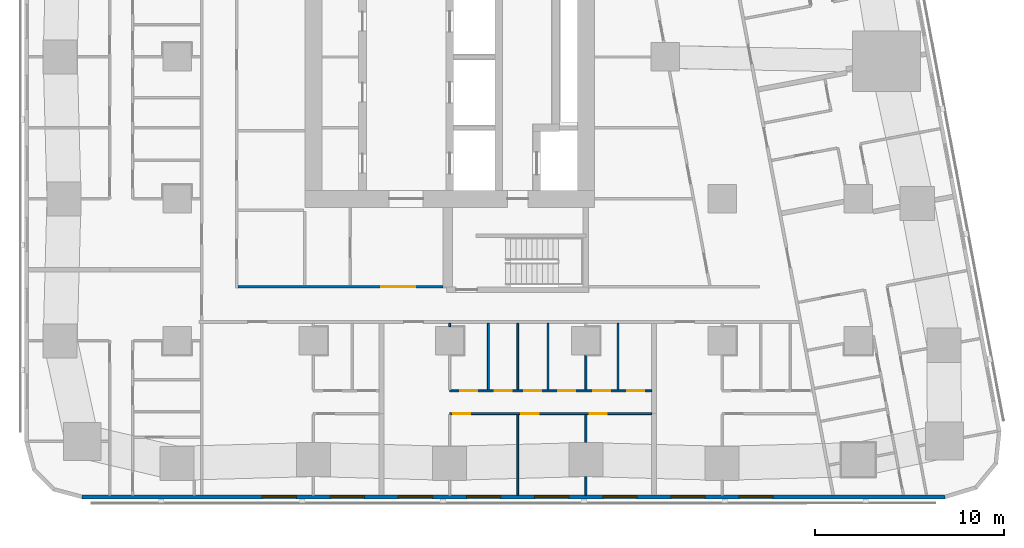
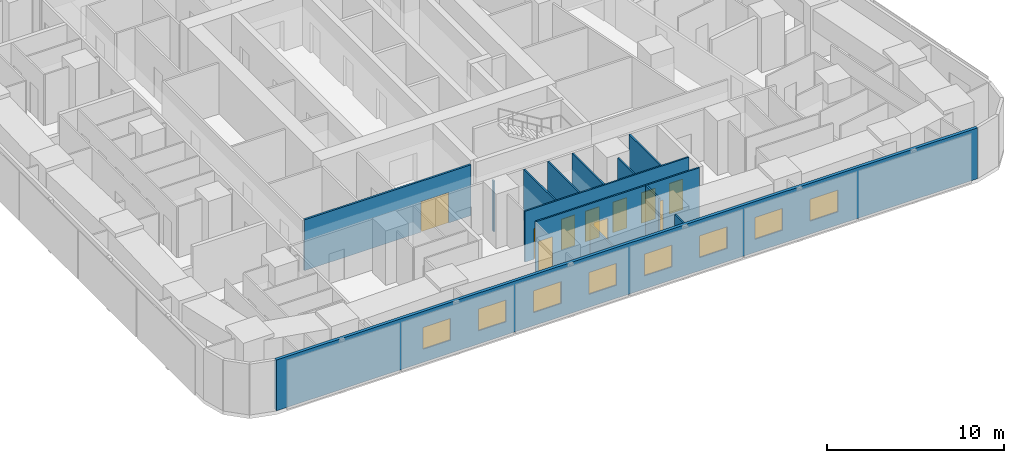
# One storey, part 3 of 15: 13 walls, 10 doors, 8 windows, 18 openings.
"""IFC4 building model written with IfcOpenShell, lengths in metres."""

import ifcopenshell
import ifcopenshell.guid

model = None  # the IFC model being written
_history = None  # IfcOwnerHistory: only IFC2X3 demands one
_inside = {}  # id of a spatial element -> (the spatial element, [elements in it])
_under = {}  # id of a project, library or spatial element -> (it, [spatial elements below it])
_declared = {}  # id of a project -> (the project, [libraries it declares])
_typed = {}  # id of a type object -> (the type object, [elements of that type])
_made_of = {}  # id of a material, layer set ... -> (it, [elements and type objects made of it])


def new_model(schema):
    """Start an empty IFC model of exactly this schema.

    Asked for "IFC4X3", IfcOpenShell would pick the latest addendum, in which some entities
    have other attributes; the version numbers below select the first issue.
    IFC2X3 requires an IfcOwnerHistory on every rooted entity: one is made here for all.
    """
    global model, _history
    if schema == "IFC4X3":
        model = ifcopenshell.file(schema_version=(4, 3, 0, 0))
    else:
        model = ifcopenshell.file(schema=schema)
    _inside.clear()
    _under.clear()
    _declared.clear()
    _typed.clear()
    _made_of.clear()
    _history = None
    if model.schema == "IFC2X3":
        org = make("IfcOrganization", Name="unknown")
        user = make(
            "IfcPersonAndOrganization",
            ThePerson=make("IfcPerson", FamilyName="unknown"),
            TheOrganization=org,
        )
        app = make(
            "IfcApplication",
            ApplicationDeveloper=org,
            Version="unknown",
            ApplicationFullName="unknown",
            ApplicationIdentifier="unknown",
        )
        _history = make(
            "IfcOwnerHistory",
            OwningUser=user,
            OwningApplication=app,
            ChangeAction="ADDED",
            CreationDate=0,
        )
    return model


def make(cls, **values):
    """One entity of the class cls with the attributes given. An attribute that is None is left unset."""
    return model.create_entity(
        cls, **{name: value for name, value in values.items() if value is not None}
    )


def rooted(cls, **values):
    """An entity with a GlobalId (a new one), such as an element, a storey or a relation."""
    return make(cls, GlobalId=ifcopenshell.guid.new(), OwnerHistory=_history, **values)


def si_unit(unit_type, name, prefix=None):
    """IfcSIUnit, for example si_unit("LENGTHUNIT", "METRE", prefix="MILLI")."""
    return make("IfcSIUnit", UnitType=unit_type, Prefix=prefix, Name=name)


def assignment(units):
    """IfcUnitAssignment: the units of a project."""
    return None if units is None else make("IfcUnitAssignment", Units=units)


def point(xyz):
    """IfcCartesianPoint."""
    return None if xyz is None else make("IfcCartesianPoint", Coordinates=xyz)


def direction(xyz):
    """IfcDirection."""
    return None if xyz is None else make("IfcDirection", DirectionRatios=xyz)


def frame(location, z_axis=None, x_axis=None):
    """IfcAxis2Placement3D, a coordinate frame: its origin and axes. An axis left out is left unset."""
    return make(
        "IfcAxis2Placement3D",
        Location=point(location),
        Axis=direction(z_axis),
        RefDirection=direction(x_axis),
    )


def frame_2d(location, x_axis=None):
    """IfcAxis2Placement2D, a coordinate frame in the plane: its origin and x axis."""
    return make(
        "IfcAxis2Placement2D", Location=point(location), RefDirection=direction(x_axis)
    )


def origin():
    """The frame at (0, 0, 0) with its axes left unset."""
    return frame((0.0, 0.0, 0.0))


def place(relative_to, where):
    """IfcLocalPlacement: puts the frame where relative to a parent placement (None: the world)."""
    return make(
        "IfcLocalPlacement", PlacementRelTo=relative_to, RelativePlacement=where
    )


def context(
    kind, dimensions, precision=None, world=None, true_north=None, identifier=None
):
    """IfcGeometricRepresentationContext, for example the 3D "Model" context."""
    return make(
        "IfcGeometricRepresentationContext",
        ContextIdentifier=identifier,
        ContextType=kind,
        CoordinateSpaceDimension=dimensions,
        Precision=precision,
        WorldCoordinateSystem=world,
        TrueNorth=true_north,
    )


def subcontext(parent, identifier, kind, view, scale=None):
    """IfcGeometricRepresentationSubContext, for example "Body" below "Model"."""
    return make(
        "IfcGeometricRepresentationSubContext",
        ContextIdentifier=identifier,
        ContextType=kind,
        ParentContext=parent,
        TargetScale=scale,
        TargetView=view,
    )


def project(units=None, contexts=None):
    """IfcProject with its units and contexts."""
    return rooted(
        "IfcProject",
        Name="project",
        RepresentationContexts=contexts,
        UnitsInContext=assignment(units),
    )


def spatial(cls, under=None, at=None, **own):
    """A site, building, storey or space (cls), placed at a placement, below another one or the project."""
    s = rooted(cls, ObjectPlacement=at, **own)
    if under is not None:
        _under.setdefault(under.id(), (under, []))[1].append(s)
    return s


def profile(cls, at=None, kind="AREA", **sizes):
    """A parametric profile (cls). Its sizes go by their IFC names, for example OverallWidth=200.0."""
    return make(cls, ProfileType=kind, Position=at, **sizes)


def rectangle(**sizes):
    """IfcRectangleProfileDef."""
    return profile("IfcRectangleProfileDef", **sizes)


def extrude(swept, where, along, depth):
    """IfcExtrudedAreaSolid: the profile swept, set in the frame where, extruded along a direction by depth."""
    return make(
        "IfcExtrudedAreaSolid",
        SweptArea=swept,
        Position=where,
        ExtrudedDirection=direction(along),
        Depth=depth,
    )


def shape(context_of_items, identifier, shape_type, items):
    """IfcShapeRepresentation: the items that make up one representation, for example the "Body"."""
    return make(
        "IfcShapeRepresentation",
        ContextOfItems=context_of_items,
        RepresentationIdentifier=identifier,
        RepresentationType=shape_type,
        Items=items,
    )


def material(Name=None, Category=None):
    """IfcMaterial."""
    return make("IfcMaterial", Name=Name, Category=Category)


def layer(
    of_material, thickness, ventilated=None, Name=None, Category=None, Priority=None
):
    """IfcMaterialLayer: one layer of a wall or slab, of a material (None: an air gap)."""
    return make(
        "IfcMaterialLayer",
        Material=of_material,
        LayerThickness=thickness,
        IsVentilated=ventilated,
        Name=Name,
        Category=Category,
        Priority=Priority,
    )


def layer_set(layers, Name=None):
    """IfcMaterialLayerSet."""
    return make("IfcMaterialLayerSet", MaterialLayers=layers, LayerSetName=Name)


def made_of(thing, what):
    """Note that an element or type object is made of a material, layer set ...; save() writes the relation."""
    if what is not None:
        _made_of.setdefault(what.id(), (what, []))[1].append(thing)
    return thing


def type_object(cls, material=None, **own):
    """A type object (cls), such as IfcWallType, which elements share."""
    return made_of(rooted(cls, **own), material)


def element(
    cls,
    number,
    at=None,
    inside=None,
    cuts=None,
    type_object=None,
    material=None,
    context=None,
    identifier="Body",
    shape_type=None,
    held_by="IfcProductDefinitionShape",
    body=None,
    shapes=None,
    **own,
):
    """One element of the class cls, such as IfcWall. Its Tag is "e" and its number.

    at: its placement. inside: the storey or other place that contains it. cuts: it is an
    opening in that element (IfcRelVoidsElement). A single representation is given by context,
    identifier, shape_type and body (its items); several are given by shapes. held_by: the class
    of the entity that holds the representations. save() writes the other relations.
    """
    e = rooted(cls, Tag="e%d" % number, ObjectPlacement=at, **own)
    if body is not None:
        shapes = [shape(context, identifier, shape_type, body)]
    if shapes is not None:
        e.Representation = make(held_by, Representations=shapes)
    if inside is not None:
        _inside.setdefault(inside.id(), (inside, []))[1].append(e)
    if cuts is not None:
        rooted(
            "IfcRelVoidsElement", RelatingBuildingElement=cuts, RelatedOpeningElement=e
        )
    if type_object is not None:
        _typed.setdefault(type_object.id(), (type_object, []))[1].append(e)
    return made_of(e, material)


def fill(opening, filler):
    """IfcRelFillsElement: the door or window that sits in an opening."""
    return rooted(
        "IfcRelFillsElement",
        RelatingOpeningElement=opening,
        RelatedBuildingElement=filler,
    )


def aggregate(whole, parts):
    """IfcRelAggregates: a whole, such as a stair, and the parts it consists of."""
    return rooted("IfcRelAggregates", RelatingObject=whole, RelatedObjects=parts)


def save(model, path):
    """Write the relations noted so far, then the file.

    IfcRelAggregates (storeys below a building ...), IfcRelContainedInSpatialStructure (elements
    in a storey), IfcRelDefinesByType, IfcRelAssociatesMaterial and IfcRelDeclares: one each for
    every whole, place, type object, material and project.
    """
    for whole, parts in _under.values():
        aggregate(whole, parts)
    for where, things in _inside.values():
        rooted(
            "IfcRelContainedInSpatialStructure",
            RelatedElements=things,
            RelatingStructure=where,
        )
    for kind, things in _typed.values():
        rooted("IfcRelDefinesByType", RelatedObjects=things, RelatingType=kind)
    for what, things in _made_of.values():
        rooted("IfcRelAssociatesMaterial", RelatedObjects=things, RelatingMaterial=what)
    for by, libraries in _declared.values():
        rooted("IfcRelDeclares", RelatingContext=by, RelatedDefinitions=libraries)
    model.write(path)


model = new_model("IFC4")

# Units and contexts
model_context = context("Model", 3, precision=1e-05, world=origin(), true_north=direction((0.0, 1.0)))
body_context = subcontext(model_context, "Body", "Model", "MODEL_VIEW")
ifc_project = project(units=[si_unit("LENGTHUNIT", "METRE"), si_unit("AREAUNIT", "SQUARE_METRE"), si_unit("VOLUMEUNIT", "CUBIC_METRE"), si_unit("PLANEANGLEUNIT", "RADIAN"), si_unit("MASSUNIT", "GRAM", prefix="KILO")], contexts=[model_context])

# Site, building, storey
site_placement = place(None, origin())
site = spatial("IfcSite", under=ifc_project, at=site_placement, CompositionType="ELEMENT")
building_placement = place(site_placement, origin())
building = spatial("IfcBuilding", under=site, at=building_placement, Name="Sheger Commons Tower", CompositionType="ELEMENT")
storey_placement = place(building_placement, frame((0.0, 0.0, 139.550048828125)))
storey = spatial("IfcBuildingStorey", under=building, at=storey_placement, Name="L35", CompositionType="ELEMENT", Elevation=139.550048828125)

# Wall, openings, windows
ifc_material_1 = material(Name="Rendered concrete block masonry, dark grey", Category="masonry")
ifc_layer_1 = layer(ifc_material_1, 0.199951171875)
ifc_layer_set_1 = layer_set([ifc_layer_1], Name="FACADE WALL 200")
wall_type_1 = type_object("IfcWallType", Name="FACADE WALL 200", PredefinedType="SOLIDWALL", material=ifc_layer_set_1)
wall_1_placement = place(storey_placement, frame((2.1630859375, -0.75, 0.0), z_axis=(0.0, 0.0, 1.0), x_axis=(1.0, 0.0, 0.0)))
wall_1 = element("IfcWall", 1, at=wall_1_placement, inside=storey, type_object=wall_type_1, Name="Facade wall L35", PredefinedType="SOLIDWALL", context=body_context, shape_type="SweptSolid", body=[
    extrude(rectangle(XDim=45.6279296875, YDim=0.199951171875, at=frame_2d((22.81396484375, 0.0))), origin(), (0.0, 0.0, 1.0), 3.5),
])
opening_1_placement = place(wall_1_placement, frame((9.537109375, 0.0, 0.89990234375)))
opening_1 = element("IfcOpeningElement", 2, at=opening_1_placement, cuts=wall_1, Name="Opening W2", PredefinedType="OPENING", context=body_context, shape_type="SweptSolid", body=[
    extrude(rectangle(XDim=1.800048828125, YDim=1.5, at=frame_2d((0.89990234375, 0.75))), frame((0.0, 0.10986328125, 0.0), z_axis=(0.0, -1.0, 0.0), x_axis=(1.0, 0.0, 0.0)), (0.0, 0.0, 1.0), 0.219970703125),
])
opening_2_placement = place(wall_1_placement, frame((13.136962890625, 0.0, 0.89990234375)))
opening_2 = element("IfcOpeningElement", 3, at=opening_2_placement, cuts=wall_1, Name="Opening W2", PredefinedType="OPENING", context=body_context, shape_type="SweptSolid", body=[
    extrude(rectangle(XDim=1.800048828125, YDim=1.5, at=frame_2d((0.89990234375, 0.75))), frame((0.0, 0.10986328125, 0.0), z_axis=(0.0, -1.0, 0.0), x_axis=(1.0, 0.0, 0.0)), (0.0, 0.0, 1.0), 0.219970703125),
])
opening_3_placement = place(wall_1_placement, frame((16.737060546875, 0.0, 0.89990234375)))
opening_3 = element("IfcOpeningElement", 4, at=opening_3_placement, cuts=wall_1, Name="Opening W2", PredefinedType="OPENING", context=body_context, shape_type="SweptSolid", body=[
    extrude(rectangle(XDim=1.800048828125, YDim=1.5, at=frame_2d((0.89990234375, 0.75))), frame((0.0, 0.10986328125, 0.0), z_axis=(0.0, -1.0, 0.0), x_axis=(1.0, 0.0, 0.0)), (0.0, 0.0, 1.0), 0.219970703125),
])
opening_4_placement = place(wall_1_placement, frame((20.3369140625, 0.0, 0.89990234375)))
opening_4 = element("IfcOpeningElement", 5, at=opening_4_placement, cuts=wall_1, Name="Opening W2", PredefinedType="OPENING", context=body_context, shape_type="SweptSolid", body=[
    extrude(rectangle(XDim=1.800048828125, YDim=1.5, at=frame_2d((0.89990234375, 0.75))), frame((0.0, 0.10986328125, 0.0), z_axis=(0.0, -1.0, 0.0), x_axis=(1.0, 0.0, 0.0)), (0.0, 0.0, 1.0), 0.219970703125),
])
opening_5_placement = place(wall_1_placement, frame((23.93701171875, 0.0, 0.89990234375)))
opening_5 = element("IfcOpeningElement", 6, at=opening_5_placement, cuts=wall_1, Name="Opening W2", PredefinedType="OPENING", context=body_context, shape_type="SweptSolid", body=[
    extrude(rectangle(XDim=1.800048828125, YDim=1.5, at=frame_2d((0.89990234375, 0.75))), frame((0.0, 0.10986328125, 0.0), z_axis=(0.0, -1.0, 0.0), x_axis=(1.0, 0.0, 0.0)), (0.0, 0.0, 1.0), 0.219970703125),
])
opening_6_placement = place(wall_1_placement, frame((27.537109375, 0.0, 0.89990234375)))
opening_6 = element("IfcOpeningElement", 7, at=opening_6_placement, cuts=wall_1, Name="Opening W2", PredefinedType="OPENING", context=body_context, shape_type="SweptSolid", body=[
    extrude(rectangle(XDim=1.800048828125, YDim=1.5, at=frame_2d((0.89990234375, 0.75))), frame((0.0, 0.10986328125, 0.0), z_axis=(0.0, -1.0, 0.0), x_axis=(1.0, 0.0, 0.0)), (0.0, 0.0, 1.0), 0.219970703125),
])
opening_7_placement = place(wall_1_placement, frame((31.136962890625, 0.0, 0.89990234375)))
opening_7 = element("IfcOpeningElement", 8, at=opening_7_placement, cuts=wall_1, Name="Opening W2", PredefinedType="OPENING", context=body_context, shape_type="SweptSolid", body=[
    extrude(rectangle(XDim=1.800048828125, YDim=1.5, at=frame_2d((0.89990234375, 0.75))), frame((0.0, 0.10986328125, 0.0), z_axis=(0.0, -1.0, 0.0), x_axis=(1.0, 0.0, 0.0)), (0.0, 0.0, 1.0), 0.219970703125),
])
opening_8_placement = place(wall_1_placement, frame((34.737060546875, 0.0, 0.89990234375)))
opening_8 = element("IfcOpeningElement", 9, at=opening_8_placement, cuts=wall_1, Name="Opening W2", PredefinedType="OPENING", context=body_context, shape_type="SweptSolid", body=[
    extrude(rectangle(XDim=1.800048828125, YDim=1.5, at=frame_2d((0.89990234375, 0.75))), frame((0.0, 0.10986328125, 0.0), z_axis=(0.0, -1.0, 0.0), x_axis=(1.0, 0.0, 0.0)), (0.0, 0.0, 1.0), 0.219970703125),
])
ifc_material_2 = material(Name="Black aluminium frame, dark tinted double glazing", Category="aluminium")
window_type = type_object("IfcWindowType", Name="WINDOW W2 1800x1500", PartitioningType="SINGLE_PANEL", PredefinedType="WINDOW", material=ifc_material_2)
window_1_placement = place(opening_1_placement, origin())
window_1 = element("IfcWindow", 10, at=window_1_placement, inside=storey, type_object=window_type, Name="Window W2 1800X1500", OverallHeight=1.5, OverallWidth=1.800048828125, PartitioningType="SINGLE_PANEL", PredefinedType="WINDOW", context=body_context, shape_type="SweptSolid", body=[
    extrude(rectangle(XDim=1.800048828125, YDim=1.5, at=frame_2d((0.89990234375, 0.75))), frame((0.0, 0.030029296875, 0.0), z_axis=(0.0, -1.0, 0.0), x_axis=(1.0, 0.0, 0.0)), (0.0, 0.0, 1.0), 0.06005859375),
])
fill(opening_1, window_1)
window_2_placement = place(opening_2_placement, origin())
window_2 = element("IfcWindow", 11, at=window_2_placement, inside=storey, type_object=window_type, Name="Window W2 1800X1500", OverallHeight=1.5, OverallWidth=1.800048828125, PartitioningType="SINGLE_PANEL", PredefinedType="WINDOW", context=body_context, shape_type="SweptSolid", body=[
    extrude(rectangle(XDim=1.800048828125, YDim=1.5, at=frame_2d((0.89990234375, 0.75))), frame((0.0, 0.030029296875, 0.0), z_axis=(0.0, -1.0, 0.0), x_axis=(1.0, 0.0, 0.0)), (0.0, 0.0, 1.0), 0.06005859375),
])
fill(opening_2, window_2)
window_3_placement = place(opening_3_placement, origin())
window_3 = element("IfcWindow", 12, at=window_3_placement, inside=storey, type_object=window_type, Name="Window W2 1800X1500", OverallHeight=1.5, OverallWidth=1.800048828125, PartitioningType="SINGLE_PANEL", PredefinedType="WINDOW", context=body_context, shape_type="SweptSolid", body=[
    extrude(rectangle(XDim=1.800048828125, YDim=1.5, at=frame_2d((0.89990234375, 0.75))), frame((0.0, 0.030029296875, 0.0), z_axis=(0.0, -1.0, 0.0), x_axis=(1.0, 0.0, 0.0)), (0.0, 0.0, 1.0), 0.06005859375),
])
fill(opening_3, window_3)
window_4_placement = place(opening_4_placement, origin())
window_4 = element("IfcWindow", 13, at=window_4_placement, inside=storey, type_object=window_type, Name="Window W2 1800X1500", OverallHeight=1.5, OverallWidth=1.800048828125, PartitioningType="SINGLE_PANEL", PredefinedType="WINDOW", context=body_context, shape_type="SweptSolid", body=[
    extrude(rectangle(XDim=1.800048828125, YDim=1.5, at=frame_2d((0.89990234375, 0.75))), frame((0.0, 0.030029296875, 0.0), z_axis=(0.0, -1.0, 0.0), x_axis=(1.0, 0.0, 0.0)), (0.0, 0.0, 1.0), 0.06005859375),
])
fill(opening_4, window_4)
window_5_placement = place(opening_5_placement, origin())
window_5 = element("IfcWindow", 14, at=window_5_placement, inside=storey, type_object=window_type, Name="Window W2 1800X1500", OverallHeight=1.5, OverallWidth=1.800048828125, PartitioningType="SINGLE_PANEL", PredefinedType="WINDOW", context=body_context, shape_type="SweptSolid", body=[
    extrude(rectangle(XDim=1.800048828125, YDim=1.5, at=frame_2d((0.89990234375, 0.75))), frame((0.0, 0.030029296875, 0.0), z_axis=(0.0, -1.0, 0.0), x_axis=(1.0, 0.0, 0.0)), (0.0, 0.0, 1.0), 0.06005859375),
])
fill(opening_5, window_5)
window_6_placement = place(opening_6_placement, origin())
window_6 = element("IfcWindow", 15, at=window_6_placement, inside=storey, type_object=window_type, Name="Window W2 1800X1500", OverallHeight=1.5, OverallWidth=1.800048828125, PartitioningType="SINGLE_PANEL", PredefinedType="WINDOW", context=body_context, shape_type="SweptSolid", body=[
    extrude(rectangle(XDim=1.800048828125, YDim=1.5, at=frame_2d((0.89990234375, 0.75))), frame((0.0, 0.030029296875, 0.0), z_axis=(0.0, -1.0, 0.0), x_axis=(1.0, 0.0, 0.0)), (0.0, 0.0, 1.0), 0.06005859375),
])
fill(opening_6, window_6)
window_7_placement = place(opening_7_placement, origin())
window_7 = element("IfcWindow", 16, at=window_7_placement, inside=storey, type_object=window_type, Name="Window W2 1800X1500", OverallHeight=1.5, OverallWidth=1.800048828125, PartitioningType="SINGLE_PANEL", PredefinedType="WINDOW", context=body_context, shape_type="SweptSolid", body=[
    extrude(rectangle(XDim=1.800048828125, YDim=1.5, at=frame_2d((0.89990234375, 0.75))), frame((0.0, 0.030029296875, 0.0), z_axis=(0.0, -1.0, 0.0), x_axis=(1.0, 0.0, 0.0)), (0.0, 0.0, 1.0), 0.06005859375),
])
fill(opening_7, window_7)
window_8_placement = place(opening_8_placement, origin())
window_8 = element("IfcWindow", 17, at=window_8_placement, inside=storey, type_object=window_type, Name="Window W2 1800X1500", OverallHeight=1.5, OverallWidth=1.800048828125, PartitioningType="SINGLE_PANEL", PredefinedType="WINDOW", context=body_context, shape_type="SweptSolid", body=[
    extrude(rectangle(XDim=1.800048828125, YDim=1.5, at=frame_2d((0.89990234375, 0.75))), frame((0.0, 0.030029296875, 0.0), z_axis=(0.0, -1.0, 0.0), x_axis=(1.0, 0.0, 0.0)), (0.0, 0.0, 1.0), 0.06005859375),
])
fill(opening_8, window_8)

# Wall, openings, doors
ifc_material_3 = material(Name="Gypsum board on steel studs", Category="steel")
ifc_layer_2 = layer(ifc_material_3, 0.10009765625)
ifc_layer_set_2 = layer_set([ifc_layer_2], Name="PARTITION 100")
wall_type_2 = type_object("IfcWallType", Name="PARTITION 100", PredefinedType="PARTITIONING", material=ifc_layer_set_2)
wall_2_placement = place(storey_placement, frame((32.27490234375, 3.64990234375, 0.0), z_axis=(0.0, 0.0, 1.0), x_axis=(-1.0, 0.0, 0.0)))
wall_2 = element("IfcWall", 18, at=wall_2_placement, inside=storey, type_object=wall_type_2, Name="Partition L35", PredefinedType="PARTITIONING", context=body_context, shape_type="SweptSolid", body=[
    extrude(rectangle(XDim=10.6748046875, YDim=0.10009765625, at=frame_2d((5.33740234375, 0.0))), origin(), (0.0, 0.0, 1.0), 3.5),
])
opening_9_placement = place(wall_2_placement, frame((9.574951171875, 0.0, 0.0)))
opening_9 = element("IfcOpeningElement", 19, at=opening_9_placement, cuts=wall_2, Name="Opening D2", PredefinedType="OPENING", context=body_context, shape_type="SweptSolid", body=[
    extrude(rectangle(XDim=0.89990234375, YDim=2.10009765625, at=frame_2d((0.449951171875, 1.050048828125))), frame((0.0, 0.06005859375, 0.0), z_axis=(0.0, -1.0, 0.0), x_axis=(1.0, 0.0, 0.0)), (0.0, 0.0, 1.0), 0.1201171875),
])
opening_10_placement = place(wall_2_placement, frame((5.97509765625, 0.0, 0.0)))
opening_10 = element("IfcOpeningElement", 20, at=opening_10_placement, cuts=wall_2, Name="Opening D2", PredefinedType="OPENING", context=body_context, shape_type="SweptSolid", body=[
    extrude(rectangle(XDim=0.89990234375, YDim=2.10009765625, at=frame_2d((0.449951171875, 1.050048828125))), frame((0.0, 0.06005859375, 0.0), z_axis=(0.0, -1.0, 0.0), x_axis=(1.0, 0.0, 0.0)), (0.0, 0.0, 1.0), 0.1201171875),
])
opening_11_placement = place(wall_2_placement, frame((2.375, 0.0, 0.0)))
opening_11 = element("IfcOpeningElement", 21, at=opening_11_placement, cuts=wall_2, Name="Opening D2", PredefinedType="OPENING", context=body_context, shape_type="SweptSolid", body=[
    extrude(rectangle(XDim=0.89990234375, YDim=2.10009765625, at=frame_2d((0.449951171875, 1.050048828125))), frame((0.0, 0.06005859375, 0.0), z_axis=(0.0, -1.0, 0.0), x_axis=(1.0, 0.0, 0.0)), (0.0, 0.0, 1.0), 0.1201171875),
])
ifc_material_4 = material(Name="Timber door set", Category="wood")
door_type_1 = type_object("IfcDoorType", Name="INTERNAL DOOR 900x2100", OperationType="NOTDEFINED", PredefinedType="DOOR", material=ifc_material_4)
door_1_placement = place(opening_9_placement, origin())
door_1 = element("IfcDoor", 22, at=door_1_placement, inside=storey, type_object=door_type_1, Name="Main bedroom door", OperationType="SINGLE_SWING_RIGHT", OverallHeight=2.10009765625, OverallWidth=0.89990234375, PredefinedType="DOOR", context=body_context, shape_type="SweptSolid", body=[
    extrude(rectangle(XDim=0.89990234375, YDim=2.10009765625, at=frame_2d((0.449951171875, 1.050048828125))), frame((0.0, 0.02490234375, 0.0), z_axis=(0.0, -1.0, 0.0), x_axis=(1.0, 0.0, 0.0)), (0.0, 0.0, 1.0), 0.050048828125),
])
fill(opening_9, door_1)
door_2_placement = place(opening_10_placement, origin())
door_2 = element("IfcDoor", 23, at=door_2_placement, inside=storey, type_object=door_type_1, Name="Bedroom 2 door", OperationType="SINGLE_SWING_RIGHT", OverallHeight=2.10009765625, OverallWidth=0.89990234375, PredefinedType="DOOR", context=body_context, shape_type="SweptSolid", body=[
    extrude(rectangle(XDim=0.89990234375, YDim=2.10009765625, at=frame_2d((0.449951171875, 1.050048828125))), frame((0.0, 0.02490234375, 0.0), z_axis=(0.0, -1.0, 0.0), x_axis=(1.0, 0.0, 0.0)), (0.0, 0.0, 1.0), 0.050048828125),
])
fill(opening_10, door_2)
door_3_placement = place(opening_11_placement, origin())
door_3 = element("IfcDoor", 24, at=door_3_placement, inside=storey, type_object=door_type_1, Name="Bedroom 3 door", OperationType="SINGLE_SWING_RIGHT", OverallHeight=2.10009765625, OverallWidth=0.89990234375, PredefinedType="DOOR", context=body_context, shape_type="SweptSolid", body=[
    extrude(rectangle(XDim=0.89990234375, YDim=2.10009765625, at=frame_2d((0.449951171875, 1.050048828125))), frame((0.0, 0.02490234375, 0.0), z_axis=(0.0, -1.0, 0.0), x_axis=(1.0, 0.0, 0.0)), (0.0, 0.0, 1.0), 0.050048828125),
])
fill(opening_11, door_3)

wall_3_placement = place(storey_placement, frame((32.27490234375, 4.85009765625, 0.0), z_axis=(0.0, 0.0, 1.0), x_axis=(-1.0, 0.0, 0.0)))
wall_3 = element("IfcWall", 25, at=wall_3_placement, inside=storey, type_object=wall_type_2, Name="Partition L35", PredefinedType="PARTITIONING", context=body_context, shape_type="SweptSolid", body=[
    extrude(rectangle(XDim=10.6748046875, YDim=0.10009765625, at=frame_2d((5.33740234375, 0.0))), origin(), (0.0, 0.0, 1.0), 3.5),
])
opening_12_placement = place(wall_3_placement, frame((9.199951171875, 0.0, 0.0)))
opening_12 = element("IfcOpeningElement", 26, at=opening_12_placement, cuts=wall_3, Name="Opening D2", PredefinedType="OPENING", context=body_context, shape_type="SweptSolid", body=[
    extrude(rectangle(XDim=0.89990234375, YDim=2.10009765625, at=frame_2d((0.449951171875, 1.050048828125))), frame((0.0, 0.06005859375, 0.0), z_axis=(0.0, -1.0, 0.0), x_axis=(1.0, 0.0, 0.0)), (0.0, 0.0, 1.0), 0.1201171875),
])
opening_13_placement = place(wall_3_placement, frame((5.824951171875, 0.0, 0.0)))
opening_13 = element("IfcOpeningElement", 27, at=opening_13_placement, cuts=wall_3, Name="Opening D2", PredefinedType="OPENING", context=body_context, shape_type="SweptSolid", body=[
    extrude(rectangle(XDim=0.89990234375, YDim=2.10009765625, at=frame_2d((0.449951171875, 1.050048828125))), frame((0.0, 0.06005859375, 0.0), z_axis=(0.0, -1.0, 0.0), x_axis=(1.0, 0.0, 0.0)), (0.0, 0.0, 1.0), 0.1201171875),
])
opening_14_placement = place(wall_3_placement, frame((2.175048828125, 0.0, 0.0)))
opening_14 = element("IfcOpeningElement", 28, at=opening_14_placement, cuts=wall_3, Name="Opening D2", PredefinedType="OPENING", context=body_context, shape_type="SweptSolid", body=[
    extrude(rectangle(XDim=0.89990234375, YDim=2.10009765625, at=frame_2d((0.449951171875, 1.050048828125))), frame((0.0, 0.06005859375, 0.0), z_axis=(0.0, -1.0, 0.0), x_axis=(1.0, 0.0, 0.0)), (0.0, 0.0, 1.0), 0.1201171875),
])
opening_15_placement = place(wall_3_placement, frame((7.39990234375, 0.0, 0.0)))
opening_15 = element("IfcOpeningElement", 29, at=opening_15_placement, cuts=wall_3, Name="Opening D2", PredefinedType="OPENING", context=body_context, shape_type="SweptSolid", body=[
    extrude(rectangle(XDim=0.89990234375, YDim=2.10009765625, at=frame_2d((0.449951171875, 1.050048828125))), frame((0.0, 0.06005859375, 0.0), z_axis=(0.0, -1.0, 0.0), x_axis=(1.0, 0.0, 0.0)), (0.0, 0.0, 1.0), 0.1201171875),
])
opening_16_placement = place(wall_3_placement, frame((4.02490234375, 0.0, 0.0)))
opening_16 = element("IfcOpeningElement", 30, at=opening_16_placement, cuts=wall_3, Name="Opening D2", PredefinedType="OPENING", context=body_context, shape_type="SweptSolid", body=[
    extrude(rectangle(XDim=0.89990234375, YDim=2.10009765625, at=frame_2d((0.449951171875, 1.050048828125))), frame((0.0, 0.06005859375, 0.0), z_axis=(0.0, -1.0, 0.0), x_axis=(1.0, 0.0, 0.0)), (0.0, 0.0, 1.0), 0.1201171875),
])
opening_17_placement = place(wall_3_placement, frame((0.375, 0.0, 0.0)))
opening_17 = element("IfcOpeningElement", 31, at=opening_17_placement, cuts=wall_3, Name="Opening D2", PredefinedType="OPENING", context=body_context, shape_type="SweptSolid", body=[
    extrude(rectangle(XDim=0.89990234375, YDim=2.10009765625, at=frame_2d((0.449951171875, 1.050048828125))), frame((0.0, 0.06005859375, 0.0), z_axis=(0.0, -1.0, 0.0), x_axis=(1.0, 0.0, 0.0)), (0.0, 0.0, 1.0), 0.1201171875),
])
door_4_placement = place(opening_12_placement, origin())
door_4 = element("IfcDoor", 32, at=door_4_placement, inside=storey, type_object=door_type_1, Name="Bathroom door", OperationType="SINGLE_SWING_LEFT", OverallHeight=2.10009765625, OverallWidth=0.89990234375, PredefinedType="DOOR", context=body_context, shape_type="SweptSolid", body=[
    extrude(rectangle(XDim=0.89990234375, YDim=2.10009765625, at=frame_2d((0.449951171875, 1.050048828125))), frame((0.0, 0.02490234375, 0.0), z_axis=(0.0, -1.0, 0.0), x_axis=(1.0, 0.0, 0.0)), (0.0, 0.0, 1.0), 0.050048828125),
])
fill(opening_12, door_4)
door_5_placement = place(opening_13_placement, origin())
door_5 = element("IfcDoor", 33, at=door_5_placement, inside=storey, type_object=door_type_1, Name="Shower room door", OperationType="SINGLE_SWING_RIGHT", OverallHeight=2.10009765625, OverallWidth=0.89990234375, PredefinedType="DOOR", context=body_context, shape_type="SweptSolid", body=[
    extrude(rectangle(XDim=0.89990234375, YDim=2.10009765625, at=frame_2d((0.449951171875, 1.050048828125))), frame((0.0, 0.02490234375, 0.0), z_axis=(0.0, -1.0, 0.0), x_axis=(1.0, 0.0, 0.0)), (0.0, 0.0, 1.0), 0.050048828125),
])
fill(opening_13, door_5)
door_6_placement = place(opening_14_placement, origin())
door_6 = element("IfcDoor", 34, at=door_6_placement, inside=storey, type_object=door_type_1, Name="Laundry room door", OperationType="SINGLE_SWING_RIGHT", OverallHeight=2.10009765625, OverallWidth=0.89990234375, PredefinedType="DOOR", context=body_context, shape_type="SweptSolid", body=[
    extrude(rectangle(XDim=0.89990234375, YDim=2.10009765625, at=frame_2d((0.449951171875, 1.050048828125))), frame((0.0, 0.02490234375, 0.0), z_axis=(0.0, -1.0, 0.0), x_axis=(1.0, 0.0, 0.0)), (0.0, 0.0, 1.0), 0.050048828125),
])
fill(opening_14, door_6)
door_7_placement = place(opening_15_placement, origin())
door_7 = element("IfcDoor", 35, at=door_7_placement, inside=storey, type_object=door_type_1, Name="Store door", OperationType="SINGLE_SWING_LEFT", OverallHeight=2.10009765625, OverallWidth=0.89990234375, PredefinedType="DOOR", context=body_context, shape_type="SweptSolid", body=[
    extrude(rectangle(XDim=0.89990234375, YDim=2.10009765625, at=frame_2d((0.449951171875, 1.050048828125))), frame((0.0, 0.02490234375, 0.0), z_axis=(0.0, -1.0, 0.0), x_axis=(1.0, 0.0, 0.0)), (0.0, 0.0, 1.0), 0.050048828125),
])
fill(opening_15, door_7)
door_8_placement = place(opening_16_placement, origin())
door_8 = element("IfcDoor", 36, at=door_8_placement, inside=storey, type_object=door_type_1, Name="Store door", OperationType="SINGLE_SWING_LEFT", OverallHeight=2.10009765625, OverallWidth=0.89990234375, PredefinedType="DOOR", context=body_context, shape_type="SweptSolid", body=[
    extrude(rectangle(XDim=0.89990234375, YDim=2.10009765625, at=frame_2d((0.449951171875, 1.050048828125))), frame((0.0, 0.02490234375, 0.0), z_axis=(0.0, -1.0, 0.0), x_axis=(1.0, 0.0, 0.0)), (0.0, 0.0, 1.0), 0.050048828125),
])
fill(opening_16, door_8)
door_9_placement = place(opening_17_placement, origin())
door_9 = element("IfcDoor", 37, at=door_9_placement, inside=storey, type_object=door_type_1, Name="Store door", OperationType="SINGLE_SWING_RIGHT", OverallHeight=2.10009765625, OverallWidth=0.89990234375, PredefinedType="DOOR", context=body_context, shape_type="SweptSolid", body=[
    extrude(rectangle(XDim=0.89990234375, YDim=2.10009765625, at=frame_2d((0.449951171875, 1.050048828125))), frame((0.0, 0.02490234375, 0.0), z_axis=(0.0, -1.0, 0.0), x_axis=(1.0, 0.0, 0.0)), (0.0, 0.0, 1.0), 0.050048828125),
])
fill(opening_17, door_9)

# Walls
wall_4_placement = place(storey_placement, frame((25.199951171875, -0.64990234375, 0.0), z_axis=(0.0, 0.0, 1.0), x_axis=(0.0, 1.0, 0.0)))
element("IfcWall", 38, at=wall_4_placement, inside=storey, type_object=wall_type_2, Name="Partition L35", PredefinedType="PARTITIONING", context=body_context, shape_type="SweptSolid", body=[
    extrude(rectangle(XDim=4.25, YDim=0.10009765625, at=frame_2d((2.125, 0.0))), origin(), (0.0, 0.0, 1.0), 2.099853515625),
])
wall_5_placement = place(storey_placement, frame((28.800048828125, -0.64990234375, 0.0), z_axis=(0.0, 0.0, 1.0), x_axis=(0.0, 1.0, 0.0)))
element("IfcWall", 39, at=wall_5_placement, inside=storey, type_object=wall_type_2, Name="Partition L35", PredefinedType="PARTITIONING", context=body_context, shape_type="SweptSolid", body=[
    extrude(rectangle(XDim=0.973876953125, YDim=0.10009765625, at=frame_2d((0.48681640625, 0.0))), origin(), (0.0, 0.0, 1.0), 3.5),
])
wall_6_placement = place(storey_placement, frame((28.800048828125, 2.1259765625, 0.0), z_axis=(0.0, 0.0, 1.0), x_axis=(0.0, 1.0, 0.0)))
element("IfcWall", 40, at=wall_6_placement, inside=storey, type_object=wall_type_2, Name="Partition L35", PredefinedType="PARTITIONING", context=body_context, shape_type="SweptSolid", body=[
    extrude(rectangle(XDim=1.47412109375, YDim=0.10009765625, at=frame_2d((0.737060546875, 0.0))), origin(), (0.0, 0.0, 1.0), 3.5),
])
wall_7_placement = place(storey_placement, frame((21.60009765625, 8.2509765625, 0.0), z_axis=(0.0, 0.0, 1.0), x_axis=(0.0, 1.0, 0.0)))
element("IfcWall", 41, at=wall_7_placement, inside=storey, type_object=wall_type_2, Name="Partition L35", PredefinedType="PARTITIONING", context=body_context, shape_type="SweptSolid", body=[
    extrude(rectangle(XDim=0.174072265625, YDim=0.10009765625, at=frame_2d((0.0869140625, 0.0))), origin(), (0.0, 0.0, 1.0), 3.5),
])
wall_8_placement = place(storey_placement, frame((25.199951171875, 4.89990234375, 0.0), z_axis=(0.0, 0.0, 1.0), x_axis=(0.0, 1.0, 0.0)))
element("IfcWall", 42, at=wall_8_placement, inside=storey, type_object=wall_type_2, Name="Partition L35", PredefinedType="PARTITIONING", context=body_context, shape_type="SweptSolid", body=[
    extrude(rectangle(XDim=3.525146484375, YDim=0.10009765625, at=frame_2d((1.7626953125, 0.0))), origin(), (0.0, 0.0, 1.0), 3.5),
])
wall_9_placement = place(storey_placement, frame((28.800048828125, 4.89990234375, 0.0), z_axis=(0.0, 0.0, 1.0), x_axis=(0.0, 1.0, 0.0)))
element("IfcWall", 43, at=wall_9_placement, inside=storey, type_object=wall_type_2, Name="Partition L35", PredefinedType="PARTITIONING", context=body_context, shape_type="SweptSolid", body=[
    extrude(rectangle(XDim=1.84912109375, YDim=0.10009765625, at=frame_2d((0.924560546875, 0.0))), origin(), (0.0, 0.0, 1.0), 3.5),
])
for number, where, z_axis, x_axis, name in (
    (44, (23.64990234375, 4.89990234375, 0.0), (0.0, 0.0, 1.0), (0.0, 1.0, 0.0), "Partition L35"),
    (45, (26.800048828125, 4.89990234375, 0.0), (0.0, 0.0, 1.0), (0.0, 1.0, 0.0), "Partition L35"),
    (46, (30.5, 4.89990234375, 0.0), (0.0, 0.0, 1.0), (0.0, 1.0, 0.0), "Partition L35"),
):
    element("IfcWall", number, at=place(storey_placement, frame(where, z_axis=z_axis, x_axis=x_axis)), inside=storey, type_object=wall_type_2, Name=name, PredefinedType="PARTITIONING", context=body_context, shape_type="SweptSolid", body=[
        extrude(rectangle(XDim=3.525146484375, YDim=0.10009765625, at=frame_2d((1.7626953125, 0.0))), origin(), (0.0, 0.0, 1.0), 3.5),
    ])

# Wall, opening, door
ifc_material_5 = material(Name="Gypsum board on steel studs, two layers each side, fire rated", Category="steel")
ifc_layer_3 = layer(ifc_material_5, 0.125)
ifc_layer_set_3 = layer_set([ifc_layer_3], Name="SERVICE WALL 125")
wall_type_3 = type_object("IfcWallType", Name="SERVICE WALL 125", PredefinedType="PARTITIONING", material=ifc_layer_set_3)
wall_10_placement = place(storey_placement, frame((10.4130859375, 10.35009765625, 0.0), z_axis=(0.0, 0.0, 1.0), x_axis=(1.0, 0.0, 0.0)))
wall_10 = element("IfcWall", 47, at=wall_10_placement, inside=storey, type_object=wall_type_3, Name="Service room wall L35", PredefinedType="PARTITIONING", context=body_context, shape_type="SweptSolid", body=[
    extrude(rectangle(XDim=10.8369140625, YDim=0.125, at=frame_2d((5.41845703125, 0.0))), origin(), (0.0, 0.0, 1.0), 3.5),
])
opening_18_placement = place(wall_10_placement, frame((7.58203125, 0.0, 0.0)))
opening_18 = element("IfcOpeningElement", 48, at=opening_18_placement, cuts=wall_10, Name="Opening D6", PredefinedType="OPENING", context=body_context, shape_type="SweptSolid", body=[
    extrude(rectangle(XDim=1.800048828125, YDim=2.10009765625, at=frame_2d((0.89990234375, 1.050048828125))), frame((0.0, 0.072509765625, 0.0), z_axis=(0.0, -1.0, 0.0), x_axis=(1.0, 0.0, 0.0)), (0.0, 0.0, 1.0), 0.14501953125),
])
ifc_material_6 = material(Name="Steel door set, fire rated", Category="steel")
door_type_2 = type_object("IfcDoorType", Name="LOBBY DOUBLE DOOR 1800x2100", OperationType="DOUBLE_DOOR_SINGLE_SWING", PredefinedType="DOOR", material=ifc_material_6)
door_10_placement = place(opening_18_placement, origin())
door_10 = element("IfcDoor", 49, at=door_10_placement, inside=storey, type_object=door_type_2, Name="Lift lobby south door", OperationType="DOUBLE_DOOR_SINGLE_SWING", OverallHeight=2.10009765625, OverallWidth=1.800048828125, PredefinedType="DOOR", context=body_context, shape_type="SweptSolid", body=[
    extrude(rectangle(XDim=1.800048828125, YDim=2.10009765625, at=frame_2d((0.89990234375, 1.050048828125))), frame((0.0, 0.02490234375, 0.0), z_axis=(0.0, -1.0, 0.0), x_axis=(1.0, 0.0, 0.0)), (0.0, 0.0, 1.0), 0.050048828125),
])
fill(opening_18, door_10)

save(model, "model.ifc")
